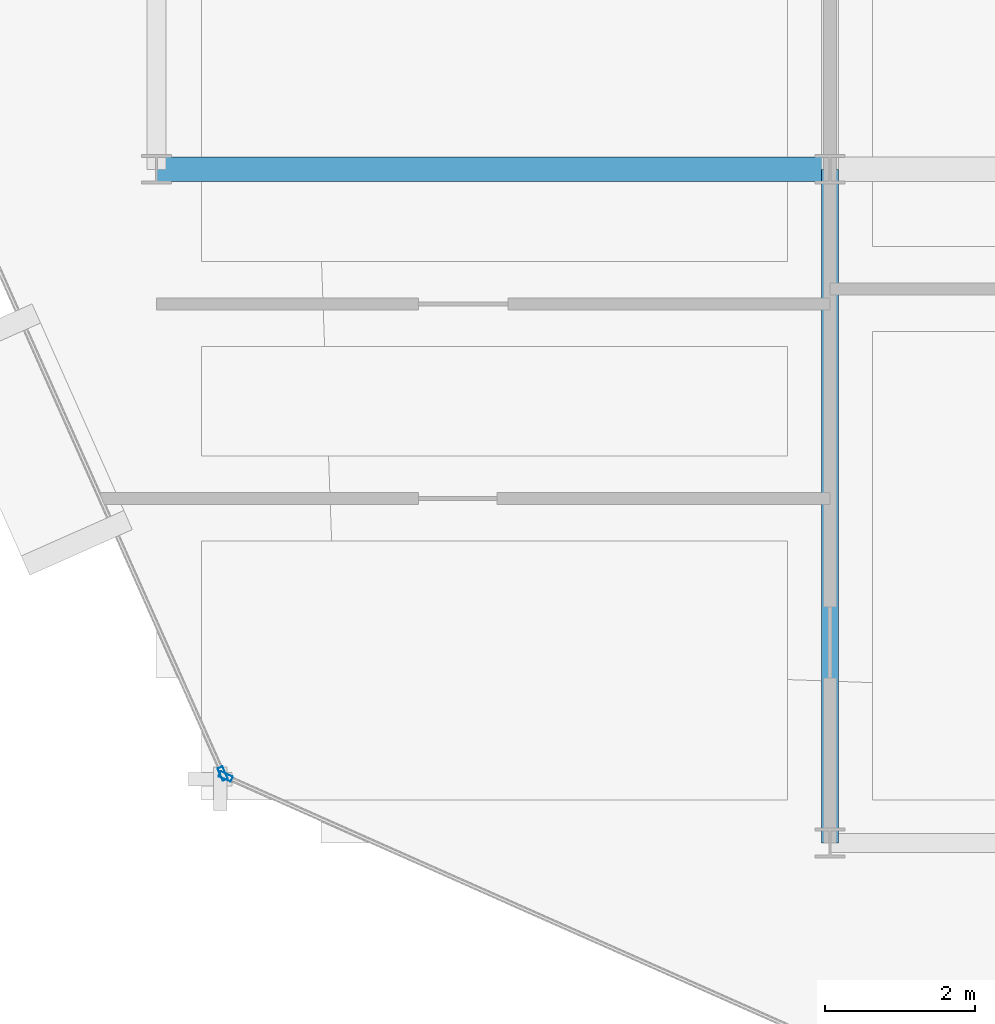
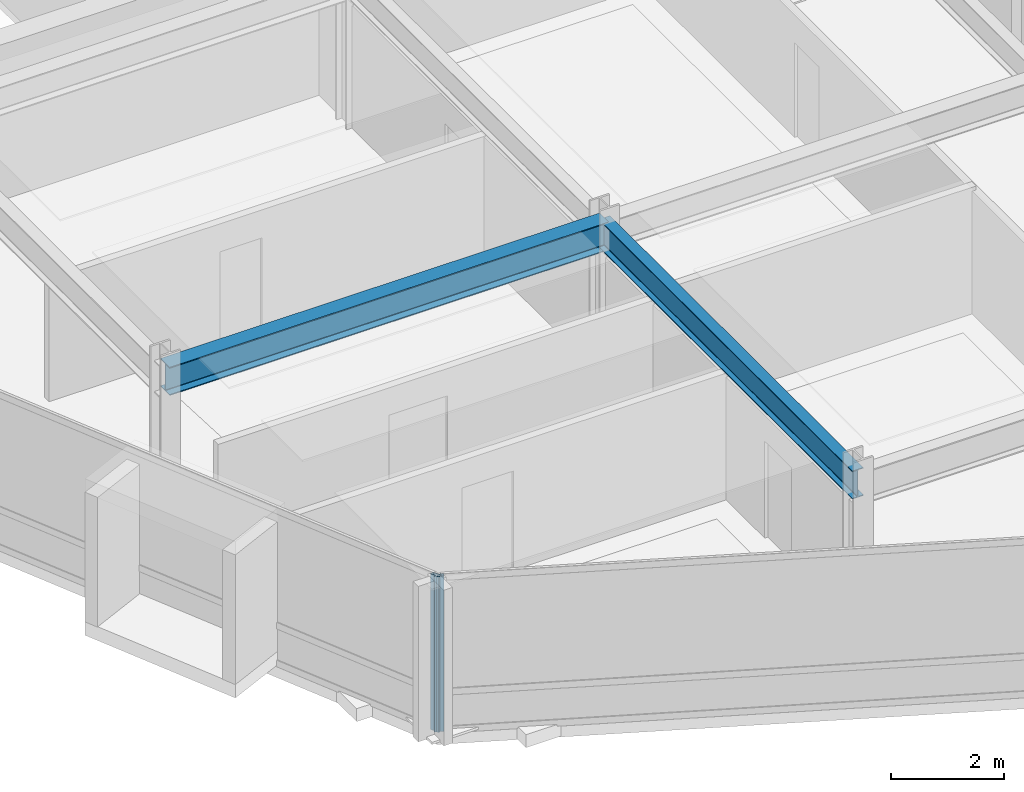
# One storey, part 2 of 27: 2 beams, 2 members, 2 elements without a shape of their own.
"""IFC4 building model written with IfcOpenShell, lengths in metres."""

from ifc_helpers import new_model, si_unit, direction, frame, origin, origin_2d, place, context, subcontext, project, spatial, hollow_rectangle, i_section, extrude, material, layer, layer_set, material_profile, profile_set, type_object, element, aggregate, save


model = new_model("IFC4")

# Units and contexts
model_context = context("Model", 3, precision=1e-05, world=origin(), true_north=direction((0.0, 1.0)))
body_context = subcontext(model_context, "Body", "Model", "MODEL_VIEW")
ifc_project = project(units=[si_unit("LENGTHUNIT", "METRE"), si_unit("AREAUNIT", "SQUARE_METRE"), si_unit("VOLUMEUNIT", "CUBIC_METRE"), si_unit("PLANEANGLEUNIT", "RADIAN"), si_unit("MASSUNIT", "GRAM", prefix="KILO")], contexts=[model_context])

# Site, building, storey
site_placement = place(None, origin())
site = spatial("IfcSite", under=ifc_project, at=site_placement, CompositionType="ELEMENT")
building_placement = place(site_placement, origin())
building = spatial("IfcBuilding", under=site, at=building_placement, Name="Solvaryn Broadcast Tower", CompositionType="ELEMENT")
storey_placement = place(building_placement, frame((0.0, 0.0, 232.10009765625)))
storey = spatial("IfcBuildingStorey", under=building, at=storey_placement, Name="L58", CompositionType="ELEMENT", Elevation=232.10009765625)

# Beams
ifc_material_1 = material(Name="Steel ASTM A992 Grade 50", Category="steel")
ifc_material_profile_1 = material_profile(ifc_material_1, i_section(OverallWidth=0.323974609375, OverallDepth=0.611083984375, WebThickness=0.0126953125, FlangeThickness=0.01904296875, FilletRadius=0.014892578125, at=origin_2d()))
ifc_profile_set_1 = profile_set([ifc_material_profile_1], Name="Steel ASTM A992 Grade 50")
beam_type_1 = type_object("IfcBeamType", Name="BM-B1-W24X104", PredefinedType="BEAM", material=ifc_profile_set_1)
beam_1_placement = place(storey_placement, frame((9.0, 18.0, 3.064453125), z_axis=(1.0, 0.0, 0.0), x_axis=(0.0, 1.0, 0.0)))
element("IfcBeam", 1, at=beam_1_placement, inside=storey, type_object=beam_type_1, Name="L58 Primary Beam X (9-18 @ Y=18)", PredefinedType="BEAM", context=body_context, shape_type="SweptSolid", body=[
    extrude(i_section(OverallWidth=0.323974609375, OverallDepth=0.611083984375, WebThickness=0.0126953125, FlangeThickness=0.01904296875, FilletRadius=0.014892578125, at=origin_2d()), origin(), (0.0, 0.0, 1.0), 9.0),
])
ifc_material_2 = material(Name="Steel ASTM A992 Grade 50", Category="steel")
ifc_material_profile_2 = material_profile(ifc_material_2, i_section(OverallWidth=0.22802734375, OverallDepth=0.60791015625, WebThickness=0.01123046875, FlangeThickness=0.017333984375, FilletRadius=0.014892578125, at=origin_2d()))
ifc_profile_set_2 = profile_set([ifc_material_profile_2], Name="Steel ASTM A992 Grade 50")
beam_type_2 = type_object("IfcBeamType", Name="BM-B2-W24X76", PredefinedType="BEAM", material=ifc_profile_set_2)
beam_2_placement = place(storey_placement, frame((18.0, 9.0, 3.06591796875), z_axis=(0.0, 1.0, 0.0), x_axis=(-1.0, 0.0, 0.0)))
element("IfcBeam", 2, at=beam_2_placement, inside=storey, type_object=beam_type_2, Name="L58 Primary Beam Y (9-18 @ X=18)", PredefinedType="BEAM", context=body_context, shape_type="SweptSolid", body=[
    extrude(i_section(OverallWidth=0.22802734375, OverallDepth=0.60791015625, WebThickness=0.01123046875, FlangeThickness=0.017333984375, FilletRadius=0.014892578125, at=origin_2d()), origin(), (0.0, 0.0, 1.0), 9.0),
])

# Curtain wall, member
ifc_material_3 = material(Name="Aluminium and Terracotta Unitised Curtain Wall", Category="masonry")
ifc_layer_1 = layer(ifc_material_3, 0.239990234375)
ifc_layer_set_1 = layer_set([ifc_layer_1], Name="CW-SYS3-BAYBOX")
curtain_wall_type_1 = type_object("IfcCurtainWallType", Name="CW-SYS3-BAYBOX", PredefinedType="NOTDEFINED", material=ifc_layer_set_1)
curtain_wall_1_placement = place(storey_placement, origin())
curtain_wall_1 = element("IfcCurtainWall", 3, at=curtain_wall_1_placement, inside=storey, type_object=curtain_wall_type_1, Name="L58 Curtain Wall DR2", PredefinedType="NOTDEFINED")
ifc_material_4 = material(Name="Anodised Aluminium 6063-T6", Category="aluminium")
ifc_material_profile_3 = material_profile(ifc_material_4, hollow_rectangle(XDim=0.074951171875, YDim=0.179931640625, WallThickness=0.00390625, InnerFilletRadius=0.00390625, OuterFilletRadius=0.008056640625, at=origin_2d()))
ifc_profile_set_3 = profile_set([ifc_material_profile_3], Name="Anodised Aluminium 6063-T6")
member_type = type_object("IfcMemberType", Name="CW-MUL-180", PredefinedType="MULLION", material=ifc_profile_set_3)
member_1_placement = place(storey_placement, frame((9.8857421875, 9.925537109375, 0.0), z_axis=(0.0, 0.0, 1.0), x_axis=(0.913916902365, 0.405901337237, 0.0)))
member_1 = element("IfcMember", 4, at=member_1_placement, type_object=member_type, Name="CWS3 mullion 2", PredefinedType="MULLION", context=body_context, shape_type="SweptSolid", body=[
    extrude(hollow_rectangle(XDim=0.074951171875, YDim=0.179931640625, WallThickness=0.00390625, InnerFilletRadius=0.00390625, OuterFilletRadius=0.008056640625, at=origin_2d()), origin(), (0.0, 0.0, 1.0), 3.369873046875),
])
aggregate(curtain_wall_1, [member_1])

ifc_material_5 = material(Name="Aluminium and Terracotta Unitised Curtain Wall", Category="masonry")
ifc_layer_2 = layer(ifc_material_5, 0.199951171875)
ifc_layer_set_2 = layer_set([ifc_layer_2], Name="CW-SYS2-LOWMID")
curtain_wall_type_2 = type_object("IfcCurtainWallType", Name="CW-SYS2-LOWMID", PredefinedType="NOTDEFINED", material=ifc_layer_set_2)
curtain_wall_2_placement = place(storey_placement, origin())
curtain_wall_2 = element("IfcCurtainWall", 5, at=curtain_wall_2_placement, inside=storey, type_object=curtain_wall_type_2, Name="L58 Curtain Wall DR3", PredefinedType="NOTDEFINED")
member_2_placement = place(storey_placement, frame((9.925537109375, 9.8857421875, 0.0), z_axis=(0.0, 0.0, 1.0), x_axis=(0.405901337237, 0.913916902365, 0.0)))
member_2 = element("IfcMember", 6, at=member_2_placement, type_object=member_type, Name="CWS2 mullion 1", PredefinedType="MULLION", context=body_context, shape_type="SweptSolid", body=[
    extrude(hollow_rectangle(XDim=0.074951171875, YDim=0.179931640625, WallThickness=0.00390625, InnerFilletRadius=0.00390625, OuterFilletRadius=0.008056640625, at=origin_2d()), origin(), (0.0, 0.0, 1.0), 3.369873046875),
])
aggregate(curtain_wall_2, [member_2])

save(model, "model.ifc")
